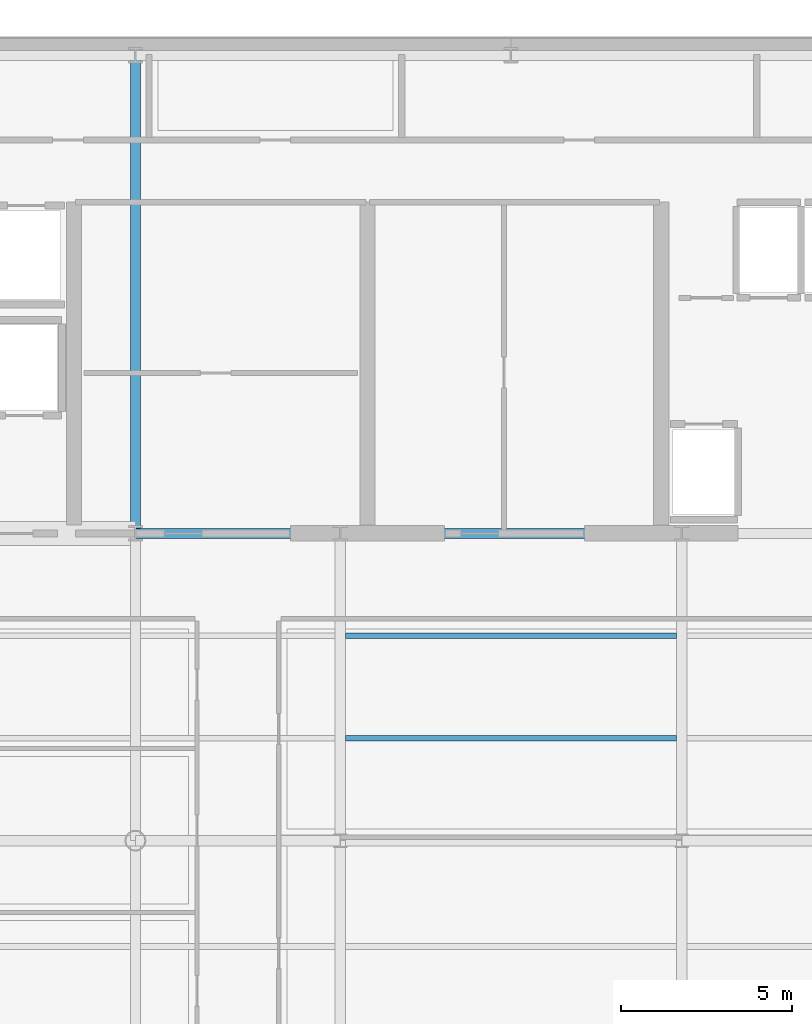
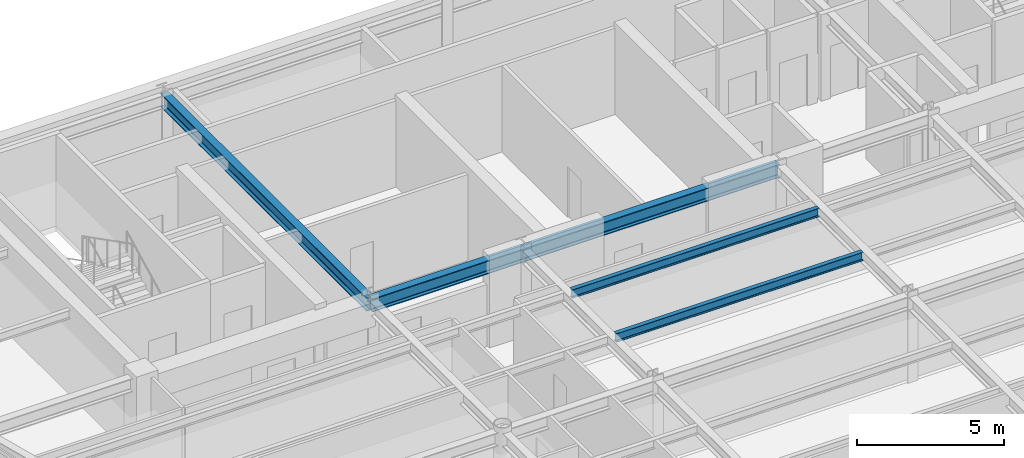
# One storey, part 5 of 20: 5 beams.
"""IFC4 building model written with IfcOpenShell, lengths in metres."""

from ifc_helpers import new_model, si_unit, direction, frame, origin, origin_2d, place, context, subcontext, project, spatial, i_section, extrude, source, transform, mapped, material, material_profile, profile_set, type_object, element, save


model = new_model("IFC4")

# Units and contexts
model_context = context("Model", 3, precision=1e-05, world=origin(), true_north=direction((0.0, 1.0)))
body_context = subcontext(model_context, "Body", "Model", "MODEL_VIEW")
ifc_project = project(units=[si_unit("LENGTHUNIT", "METRE"), si_unit("AREAUNIT", "SQUARE_METRE"), si_unit("VOLUMEUNIT", "CUBIC_METRE"), si_unit("PLANEANGLEUNIT", "RADIAN"), si_unit("MASSUNIT", "GRAM", prefix="KILO")], contexts=[model_context])

# Site, building, storey
site_placement = place(None, origin())
site = spatial("IfcSite", under=ifc_project, at=site_placement, CompositionType="ELEMENT")
building_placement = place(site_placement, origin())
building = spatial("IfcBuilding", under=site, at=building_placement, Name="Vaeldorn Concourse Tower", CompositionType="ELEMENT")
storey_placement = place(building_placement, frame((0.0, 0.0, 268.800048828125)))
storey = spatial("IfcBuildingStorey", under=building, at=storey_placement, Name="L69", CompositionType="ELEMENT", Elevation=268.800048828125)

# Beams
ifc_material = material(Name="Steel S355", Category="steel")
ifc_material_profile_1 = material_profile(ifc_material, i_section(OverallWidth=0.300048828125, OverallDepth=0.550048828125, WebThickness=0.014892578125, FlangeThickness=0.029052734375, FilletRadius=0.027099609375, at=origin_2d()), Name="HEB 550")
ifc_profile_set_1 = profile_set([ifc_material_profile_1], Name="Steel S355")
beam_type_1 = type_object("IfcBeamType", Name="BM-PG-HEB550", PredefinedType="BEAM", material=ifc_profile_set_1)
shared_shape_1 = source(origin(), body_context, "Body", "SweptSolid", [
    extrude(i_section(OverallWidth=0.300048828125, OverallDepth=0.550048828125, WebThickness=0.014892578125, FlangeThickness=0.029052734375, FilletRadius=0.027099609375, at=origin_2d()), origin(), (0.0, 0.0, 1.0), 6.0),
])
beam_1_placement = place(storey_placement, frame((23.0, 36.5, 3.304931640625), z_axis=(1.0, 0.0, 0.0), x_axis=(0.0, 1.0, 0.0)))
element("IfcBeam", 1, at=beam_1_placement, inside=storey, type_object=beam_type_1, Name="Beam BM-L69-C-FC2-C-FC3", PredefinedType="BEAM", context=body_context, shape_type="MappedRepresentation", body=[
    mapped(shared_shape_1, transform((0.0, 0.0, 0.0), scale=1.0)),
])
shared_shape_2 = source(origin(), body_context, "Body", "SweptSolid", [
    extrude(i_section(OverallWidth=0.300048828125, OverallDepth=0.550048828125, WebThickness=0.014892578125, FlangeThickness=0.029052734375, FilletRadius=0.027099609375, at=origin_2d()), origin(), (0.0, 0.0, 1.0), 10.0),
])
beam_2_placement = place(storey_placement, frame((29.0, 36.5, 3.304931640625), z_axis=(1.0, 0.0, 0.0), x_axis=(0.0, 1.0, 0.0)))
element("IfcBeam", 2, at=beam_2_placement, inside=storey, type_object=beam_type_1, Name="Beam BM-L69-C-FC3-C-FC4", PredefinedType="BEAM", context=body_context, shape_type="MappedRepresentation", body=[
    mapped(shared_shape_2, transform((0.0, 0.0, 0.0), scale=1.0)),
])
shared_shape_3 = source(origin(), body_context, "Body", "SweptSolid", [
    extrude(i_section(OverallWidth=0.300048828125, OverallDepth=0.550048828125, WebThickness=0.014892578125, FlangeThickness=0.029052734375, FilletRadius=0.027099609375, at=origin_2d()), origin(), (0.0, 0.0, 1.0), 14.0),
])
beam_3_placement = place(storey_placement, frame((23.0, 36.5, 3.304931640625), z_axis=(0.0, 1.0, 0.0), x_axis=(-1.0, 0.0, 0.0)))
element("IfcBeam", 3, at=beam_3_placement, inside=storey, type_object=beam_type_1, Name="Beam BM-L69-C-FC2-C-HC2", PredefinedType="BEAM", context=body_context, shape_type="MappedRepresentation", body=[
    mapped(shared_shape_3, transform((0.0, 0.0, 0.0), scale=1.0)),
])
ifc_material_profile_2 = material_profile(ifc_material, i_section(OverallWidth=0.169921875, OverallDepth=0.360107421875, WebThickness=0.008056640625, FlangeThickness=0.0126953125, FilletRadius=0.01806640625, at=origin_2d()), Name="IPE 360")
ifc_profile_set_2 = profile_set([ifc_material_profile_2], Name="Steel S355")
beam_type_2 = type_object("IfcBeamType", Name="BM-JS-IPE360", PredefinedType="JOIST", material=ifc_profile_set_2)
shared_shape_4 = source(origin(), body_context, "Body", "SweptSolid", [
    extrude(i_section(OverallWidth=0.169921875, OverallDepth=0.360107421875, WebThickness=0.008056640625, FlangeThickness=0.0126953125, FilletRadius=0.01806640625, at=origin_2d()), origin(), (0.0, 0.0, 1.0), 9.7001953125),
])
for number, where, z_axis, x_axis, name in (
    (4, (29.14990234375, 30.5, 3.39990234375), (1.0, 0.0, 0.0), (0.0, 1.0, 0.0), "Beam JS-L69-C-305"),
    (5, (29.14990234375, 33.5, 3.39990234375), (1.0, 0.0, 0.0), (0.0, 1.0, 0.0), "Beam JS-L69-C-335"),
):
    element("IfcBeam", number, at=place(storey_placement, frame(where, z_axis=z_axis, x_axis=x_axis)), inside=storey, type_object=beam_type_2, Name=name, PredefinedType="JOIST", context=body_context, shape_type="MappedRepresentation", body=[
        mapped(shared_shape_4, transform((0.0, 0.0, 0.0), scale=1.0)),
    ])

save(model, "model.ifc")
